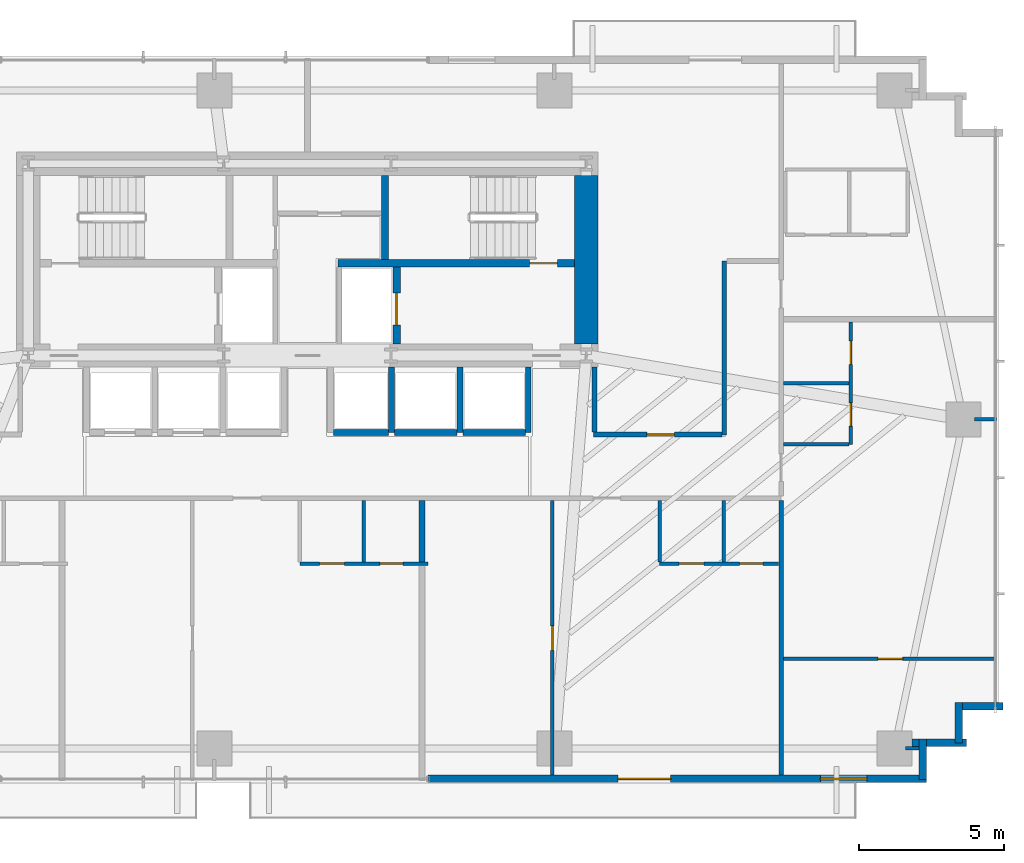
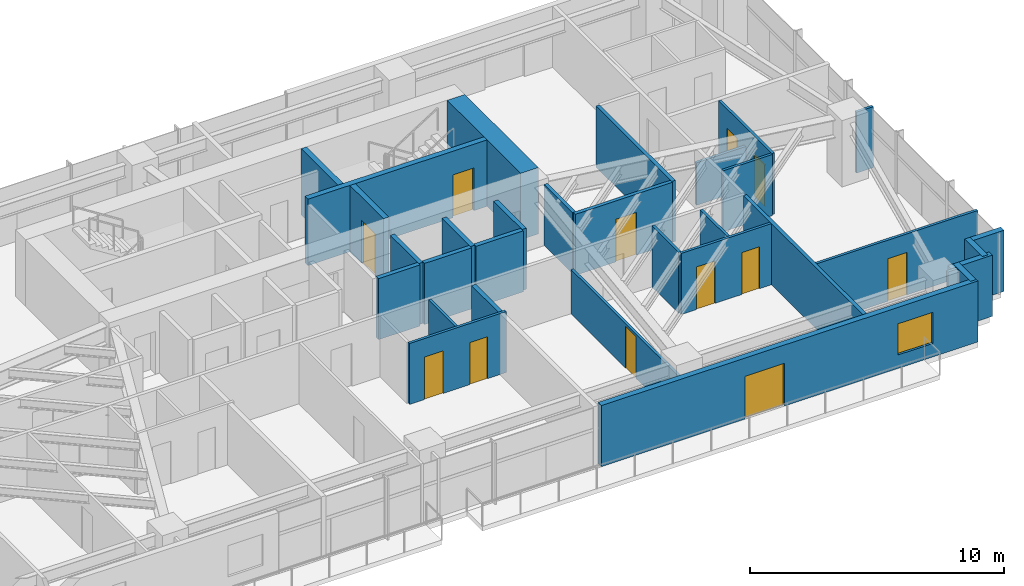
# One storey, part 21 of 25: 32 walls, 12 doors, 1 window, 13 openings.
"""IFC4 building model written with IfcOpenShell, lengths in metres."""

from ifc_helpers import new_model, si_unit, direction, frame, frame_2d, origin, place, context, subcontext, project, spatial, rectangle, extrude, source, transform, mapped, material, layer, layer_set, type_object, type_shapes, element, fill, save


model = new_model("IFC4")

# Units and contexts
model_context = context("Model", 3, precision=1e-05, world=origin(), true_north=direction((0.0, 1.0)))
body_context = subcontext(model_context, "Body", "Model", "MODEL_VIEW")
ifc_project = project(units=[si_unit("LENGTHUNIT", "METRE"), si_unit("AREAUNIT", "SQUARE_METRE"), si_unit("VOLUMEUNIT", "CUBIC_METRE"), si_unit("PLANEANGLEUNIT", "RADIAN"), si_unit("MASSUNIT", "GRAM", prefix="KILO")], contexts=[model_context])

# Site, building, storey
site_placement = place(None, origin())
site = spatial("IfcSite", under=ifc_project, at=site_placement, CompositionType="ELEMENT")
building_placement = place(site_placement, origin())
building = spatial("IfcBuilding", under=site, at=building_placement, Name="Astriad Promenade Condominiums", CompositionType="ELEMENT")
storey_placement = place(building_placement, frame((0.0, 0.0, 61.39990234375)))
storey = spatial("IfcBuildingStorey", under=building, at=storey_placement, Name="L17", CompositionType="ELEMENT", Elevation=61.39990234375)

# Wall
ifc_material_1 = material(Name="Concrete C80/95", Category="concrete")
ifc_layer_1 = layer(ifc_material_1, 0.800048828125)
ifc_layer_set_1 = layer_set([ifc_layer_1], Name="Concrete C80/95")
wall_type_1 = type_object("IfcWallType", Name="CW-SHEAR-800", PredefinedType="SHEAR", material=ifc_layer_set_1)
wall_1_placement = place(storey_placement, frame((45.60009765625, 17.802001953125, 0.0), z_axis=(0.0, 0.0, 1.0), x_axis=(0.0, 1.0, 0.0)))
element("IfcWall", 1, at=wall_1_placement, inside=storey, type_object=wall_type_1, Name="CW-CORE-E-L17", PredefinedType="SHEAR", context=body_context, shape_type="SweptSolid", body=[
    extrude(rectangle(XDim=5.7958984375, YDim=0.800048828125, at=frame_2d((2.89794921875, 0.0))), origin(), (0.0, 0.0, 1.0), 3.2001953125),
])

# Wall, opening, door
ifc_material_2 = material(Name="Concrete C50/60", Category="concrete")
ifc_layer_2 = layer(ifc_material_2, 0.25)
ifc_layer_set_2 = layer_set([ifc_layer_2], Name="Concrete C50/60")
wall_type_2 = type_object("IfcWallType", Name="WALL-CORE-INT-250", PredefinedType="SOLIDWALL", material=ifc_layer_set_2)
wall_2_placement = place(storey_placement, frame((37.050048828125, 20.574951171875, 0.0), z_axis=(0.0, 0.0, 1.0), x_axis=(1.0, 0.0, 0.0)))
wall_2 = element("IfcWall", 2, at=wall_2_placement, inside=storey, type_object=wall_type_2, Name="CW-INT-H2-L17", PredefinedType="SOLIDWALL", context=body_context, shape_type="SweptSolid", body=[
    extrude(rectangle(XDim=8.14794921875, YDim=0.25, at=frame_2d((4.073974609375, 0.0))), origin(), (0.0, 0.0, 1.0), 3.2001953125),
])
opening_1_placement = place(wall_2_placement, frame((6.60009765625, 0.0, 0.0)))
opening_1 = element("IfcOpeningElement", 3, at=opening_1_placement, cuts=wall_2, Name="Opening FD90-ST-095", PredefinedType="OPENING", context=body_context, shape_type="SweptSolid", body=[
    extrude(rectangle(XDim=0.949951171875, YDim=2.06005859375, at=frame_2d((0.47509765625, 1.030029296875))), frame((0.0, 0.135009765625, 0.0), z_axis=(0.0, -1.0, 0.0), x_axis=(1.0, 0.0, 0.0)), (0.0, 0.0, 1.0), 0.27001953125),
])
ifc_material_3 = material(Name="Fire-Rated Hollow Metal Stair Door")
door_type_1 = type_object("IfcDoorType", Name="FD90-ST-095", OperationType="NOTDEFINED", PredefinedType="DOOR", material=ifc_material_3)
shared_shape_1 = source(origin(), body_context, "Body", "SweptSolid", [
    extrude(rectangle(XDim=0.949951171875, YDim=2.06005859375, at=frame_2d((0.47509765625, 1.030029296875))), frame((0.0, 0.02490234375, 0.0), z_axis=(0.0, -1.0, 0.0), x_axis=(1.0, 0.0, 0.0)), (0.0, 0.0, 1.0), 0.050048828125),
])
type_shapes(door_type_1, [shared_shape_1])
door_1_placement = place(opening_1_placement, origin())
door_1 = element("IfcDoor", 4, at=door_1_placement, inside=storey, type_object=door_type_1, Name="D-ST2-L17", OperationType="SINGLE_SWING_LEFT", OverallHeight=2.06005859375, OverallWidth=0.949951171875, PredefinedType="DOOR", context=body_context, shape_type="MappedRepresentation", body=[
    mapped(shared_shape_1, transform((0.0, 0.0, 0.0), scale=1.0)),
])
fill(opening_1, door_1)

# Wall
wall_3_placement = place(storey_placement, frame((38.675048828125, 20.701904296875, 0.0), z_axis=(0.0, 0.0, 1.0), x_axis=(0.0, 1.0, 0.0)))
element("IfcWall", 5, at=wall_3_placement, inside=storey, type_object=wall_type_2, Name="CW-ST2-W-L17", PredefinedType="SOLIDWALL", context=body_context, shape_type="SweptSolid", body=[
    extrude(rectangle(XDim=2.89599609375, YDim=0.25, at=frame_2d((1.447998046875, 0.0))), origin(), (0.0, 0.0, 1.0), 3.2001953125),
])

# Wall, opening, door
wall_4_placement = place(storey_placement, frame((39.074951171875, 17.802001953125, 0.0), z_axis=(0.0, 0.0, 1.0), x_axis=(0.0, 1.0, 0.0)))
wall_4 = element("IfcWall", 6, at=wall_4_placement, inside=storey, type_object=wall_type_2, Name="CW-FFL2-E-L17", PredefinedType="SOLIDWALL", context=body_context, shape_type="SweptSolid", body=[
    extrude(rectangle(XDim=2.64599609375, YDim=0.25, at=frame_2d((1.322998046875, 0.0))), origin(), (0.0, 0.0, 1.0), 3.2001953125),
])
opening_2_placement = place(wall_4_placement, frame((0.64794921875, 0.0, 0.0)))
opening_2 = element("IfcOpeningElement", 7, at=opening_2_placement, cuts=wall_4, Name="Opening LD-FFL-1122", PredefinedType="OPENING", context=body_context, shape_type="SweptSolid", body=[
    extrude(rectangle(XDim=1.10009765625, YDim=2.080078125, at=frame_2d((0.550048828125, 1.0400390625))), frame((0.0, 0.135009765625, 0.0), z_axis=(0.0, -1.0, 0.0), x_axis=(1.0, 0.0, 0.0)), (0.0, 0.0, 1.0), 0.27001953125),
])
ifc_material_4 = material(Name="Brushed Stainless Steel Fire Elevator Landing Door", Category="steel")
door_type_2 = type_object("IfcDoorType", Name="LD-FFL-1122", OperationType="NOTDEFINED", PredefinedType="DOOR", material=ifc_material_4)
shared_shape_2 = source(origin(), body_context, "Body", "SweptSolid", [
    extrude(rectangle(XDim=1.10009765625, YDim=2.080078125, at=frame_2d((0.550048828125, 1.0400390625))), frame((0.0, 0.02490234375, 0.0), z_axis=(0.0, -1.0, 0.0), x_axis=(1.0, 0.0, 0.0)), (0.0, 0.0, 1.0), 0.050048828125),
])
type_shapes(door_type_2, [shared_shape_2])
door_2_placement = place(opening_2_placement, origin())
door_2 = element("IfcDoor", 8, at=door_2_placement, inside=storey, type_object=door_type_2, Name="Elevator Landing Door FFL-2 (L17)", OperationType="SLIDING_TO_RIGHT", OverallHeight=2.080078125, OverallWidth=1.10009765625, PredefinedType="DOOR", context=body_context, shape_type="MappedRepresentation", body=[
    mapped(shared_shape_2, transform((0.0, 0.0, 0.0), scale=1.0)),
])
fill(opening_2, door_2)

# Walls
ifc_material_5 = material(Name="Fire-Rated Gypsum Partition")
ifc_layer_3 = layer(ifc_material_5, 0.159912109375)
ifc_layer_set_3 = layer_set([ifc_layer_3], Name="Fire-Rated Gypsum Partition")
wall_type_3 = type_object("IfcWallType", Name="WALL-CORR-160", PredefinedType="PARTITIONING", material=ifc_layer_set_3)
wall_5_placement = place(storey_placement, frame((52.300048828125, 2.9619140625, 0.0), z_axis=(0.0, 0.0, 1.0), x_axis=(0.0, 1.0, 0.0)))
element("IfcWall", 9, at=wall_5_placement, inside=storey, type_object=wall_type_3, Name="PT-COR-E-L17", PredefinedType="PARTITIONING", context=body_context, shape_type="SweptSolid", body=[
    extrude(rectangle(XDim=9.446044921875, YDim=0.159912109375, at=frame_2d((4.72314453125, 0.0))), origin(), (0.0, 0.0, 1.0), 2.940185546875),
])
wall_6_placement = place(storey_placement, frame((50.35009765625, 14.659912109375, 0.0), z_axis=(0.0, 0.0, 1.0), x_axis=(0.0, 1.0, 0.0)))
element("IfcWall", 10, at=wall_6_placement, inside=storey, type_object=wall_type_3, Name="PT-EALC-W-L17", PredefinedType="PARTITIONING", context=body_context, shape_type="SweptSolid", body=[
    extrude(rectangle(XDim=5.989990234375, YDim=0.159912109375, at=frame_2d((2.9951171875, 0.0))), origin(), (0.0, 0.0, 1.0), 2.940185546875),
])

# Wall, opening, door
wall_7_placement = place(storey_placement, frame((45.840087890625, 14.679931640625, 0.0), z_axis=(0.0, 0.0, 1.0), x_axis=(1.0, 0.0, 0.0)))
wall_7 = element("IfcWall", 11, at=wall_7_placement, inside=storey, type_object=wall_type_3, Name="PT-FLK-NE-L17", PredefinedType="PARTITIONING", context=body_context, shape_type="SweptSolid", body=[
    extrude(rectangle(XDim=4.427978515625, YDim=0.159912109375, at=frame_2d((2.2138671875, 0.0))), origin(), (0.0, 0.0, 1.0), 2.940185546875),
])
opening_3_placement = place(wall_7_placement, frame((1.840087890625, 0.0, 0.0)))
opening_3 = element("IfcOpeningElement", 12, at=opening_3_placement, cuts=wall_7, Name="Opening FD60-APT-095", PredefinedType="OPENING", context=body_context, shape_type="SweptSolid", body=[
    extrude(rectangle(XDim=0.949951171875, YDim=2.06005859375, at=frame_2d((0.47509765625, 1.030029296875))), frame((0.0, 0.08984375, 0.0), z_axis=(0.0, -1.0, 0.0), x_axis=(1.0, 0.0, 0.0)), (0.0, 0.0, 1.0), 0.179931640625),
])
ifc_material_6 = material(Name="Solid-Core Acoustic Timber Residence Entry Door", Category="wood")
door_type_3 = type_object("IfcDoorType", Name="FD60-APT-095", OperationType="NOTDEFINED", PredefinedType="DOOR", material=ifc_material_6)
shared_shape_3 = source(origin(), body_context, "Body", "SweptSolid", [
    extrude(rectangle(XDim=0.949951171875, YDim=2.06005859375, at=frame_2d((0.47509765625, 1.030029296875))), frame((0.0, 0.02490234375, 0.0), z_axis=(0.0, -1.0, 0.0), x_axis=(1.0, 0.0, 0.0)), (0.0, 0.0, 1.0), 0.050048828125),
])
type_shapes(door_type_3, [shared_shape_3])
door_3_placement = place(opening_3_placement, origin())
door_3 = element("IfcDoor", 13, at=door_3_placement, inside=storey, type_object=door_type_3, Name="D-NEA-L17", OperationType="SINGLE_SWING_LEFT", OverallHeight=2.06005859375, OverallWidth=0.949951171875, PredefinedType="DOOR", context=body_context, shape_type="MappedRepresentation", body=[
    mapped(shared_shape_3, transform((0.0, 0.0, 0.0), scale=1.0)),
])
fill(opening_3, door_3)

# Walls
wall_8_placement = place(storey_placement, frame((45.8798828125, 14.761962890625, 0.0), z_axis=(0.0, 0.0, 1.0), x_axis=(0.0, 1.0, 0.0)))
element("IfcWall", 14, at=wall_8_placement, inside=storey, type_object=wall_type_3, Name="PT-ESPUR-E-L17", PredefinedType="PARTITIONING", context=body_context, shape_type="SweptSolid", body=[
    extrude(rectangle(XDim=2.236083984375, YDim=0.159912109375, at=frame_2d((1.1181640625, 0.0))), origin(), (0.0, 0.0, 1.0), 2.940185546875),
])
ifc_material_7 = material(Name="Acoustic Double-Stud Gypsum Partition")
ifc_layer_4 = layer(ifc_material_7, 0.199951171875)
ifc_layer_set_4 = layer_set([ifc_layer_4], Name="Acoustic Double-Stud Gypsum Partition")
wall_type_4 = type_object("IfcWallType", Name="WALL-DEMISING-200", PredefinedType="PARTITIONING", material=ifc_layer_set_4)
wall_9_placement = place(storey_placement, frame((39.946044921875, 10.302001953125, 0.0), z_axis=(0.0, 0.0, 1.0), x_axis=(0.0, 1.0, 0.0)))
element("IfcWall", 15, at=wall_9_placement, inside=storey, type_object=wall_type_4, Name="PT-DEM-S2-L17-S2", PredefinedType="PARTITIONING", context=body_context, shape_type="SweptSolid", body=[
    extrude(rectangle(XDim=2.10595703125, YDim=0.199951171875, at=frame_2d((1.052978515625, 0.0))), origin(), (0.0, 0.0, 1.0), 2.940185546875),
])
ifc_material_8 = material(Name="Precast concrete C50/60", Category="concrete")
ifc_layer_5 = layer(ifc_material_8, 0.260009765625)
ifc_layer_set_5 = layer_set([ifc_layer_5], Name="Precast concrete C50/60")
wall_type_5 = type_object("IfcWallType", Name="WALL-EXT-TWR-260", PredefinedType="STANDARD", material=ifc_layer_set_5)
for number, where, z_axis, x_axis, name in (
    (16, (59.929931640625, 5.330078125, 0.0), (0.0, 0.0, 1.0), (-1.0, 0.0, 0.0), "W-SER-L17-14"),
    (17, (58.419921875, 5.4599609375, 0.0), (0.0, 0.0, 1.0), (0.0, -1.0, 0.0), "W-SER-L17-15"),
):
    element("IfcWall", number, at=place(storey_placement, frame(where, z_axis=z_axis, x_axis=x_axis)), inside=storey, type_object=wall_type_5, Name=name, PredefinedType="STANDARD", context=body_context, shape_type="SweptSolid", body=[
        extrude(rectangle(XDim=1.39501953125, YDim=0.260009765625, at=frame_2d((0.697509765625, 0.0))), origin(), (0.0, 0.0, 1.0), 2.940185546875),
    ])
wall_10_placement = place(storey_placement, frame((58.679931640625, 4.080078125, 0.0), z_axis=(0.0, 0.0, 1.0), x_axis=(-1.0, 0.0, 0.0)))
element("IfcWall", 18, at=wall_10_placement, inside=storey, type_object=wall_type_5, Name="W-SER-L17-16", PredefinedType="STANDARD", context=body_context, shape_type="SweptSolid", body=[
    extrude(rectangle(XDim=1.8779296875, YDim=0.260009765625, at=frame_2d((0.93896484375, 0.0))), origin(), (0.0, 0.0, 1.0), 2.940185546875),
])
wall_11_placement = place(storey_placement, frame((57.169921875, 4.2099609375, 0.0), z_axis=(0.0, 0.0, 1.0), x_axis=(0.0, -1.0, 0.0)))
element("IfcWall", 19, at=wall_11_placement, inside=storey, type_object=wall_type_5, Name="W-SER-L17-17", PredefinedType="STANDARD", context=body_context, shape_type="SweptSolid", body=[
    extrude(rectangle(XDim=1.39501953125, YDim=0.260009765625, at=frame_2d((0.697509765625, 0.0))), origin(), (0.0, 0.0, 1.0), 2.940185546875),
])

# Wall, openings, door, window
wall_12_placement = place(storey_placement, frame((57.300048828125, 2.830078125, 0.0), z_axis=(0.0, 0.0, 1.0), x_axis=(-1.0, 0.0, 0.0)))
wall_12 = element("IfcWall", 20, at=wall_12_placement, inside=storey, type_object=wall_type_5, Name="W-EXT-L17-S1", PredefinedType="STANDARD", context=body_context, shape_type="SweptSolid", body=[
    extrude(rectangle(XDim=17.150146484375, YDim=0.260009765625, at=frame_2d((8.5751953125, 0.0))), origin(), (0.0, 0.0, 1.0), 2.940185546875),
])
opening_4_placement = place(wall_12_placement, frame((8.803955078125, 0.0, 0.0)))
opening_4 = element("IfcOpeningElement", 21, at=opening_4_placement, cuts=wall_12, Name="Opening BD-1822-SLD", PredefinedType="OPENING", context=body_context, shape_type="SweptSolid", body=[
    extrude(rectangle(XDim=1.800048828125, YDim=2.06005859375, at=frame_2d((0.89990234375, 1.030029296875))), frame((0.0, 0.139892578125, 0.0), z_axis=(0.0, -1.0, 0.0), x_axis=(1.0, 0.0, 0.0)), (0.0, 0.0, 1.0), 0.280029296875),
])
opening_5_placement = place(wall_12_placement, frame((2.050048828125, 0.0, 0.64990234375)))
opening_5 = element("IfcOpeningElement", 22, at=opening_5_placement, cuts=wall_12, Name="Opening WIN-TWR-1620", PredefinedType="OPENING", context=body_context, shape_type="SweptSolid", body=[
    extrude(rectangle(XDim=1.60009765625, YDim=1.5, at=frame_2d((0.800048828125, 0.75))), frame((0.0, 0.139892578125, 0.0), z_axis=(0.0, -1.0, 0.0), x_axis=(1.0, 0.0, 0.0)), (0.0, 0.0, 1.0), 0.280029296875),
])
ifc_material_9 = material(Name="Thermally Broken Aluminium Sliding Balcony Door", Category="aluminium")
door_type_4 = type_object("IfcDoorType", Name="BD-1822-SLD", OperationType="NOTDEFINED", PredefinedType="DOOR", material=ifc_material_9)
shared_shape_4 = source(origin(), body_context, "Body", "SweptSolid", [
    extrude(rectangle(XDim=1.800048828125, YDim=2.06005859375, at=frame_2d((0.89990234375, 1.030029296875))), frame((0.0, 0.02490234375, 0.0), z_axis=(0.0, -1.0, 0.0), x_axis=(1.0, 0.0, 0.0)), (0.0, 0.0, 1.0), 0.050048828125),
])
type_shapes(door_type_4, [shared_shape_4])
door_4_placement = place(opening_4_placement, origin())
door_4 = element("IfcDoor", 23, at=door_4_placement, inside=storey, type_object=door_type_4, Name="BD-L17-SE", OperationType="SLIDING_TO_RIGHT", OverallHeight=2.06005859375, OverallWidth=1.800048828125, PredefinedType="DOOR", context=body_context, shape_type="MappedRepresentation", body=[
    mapped(shared_shape_4, transform((0.0, 0.0, 0.0), scale=1.0)),
])
fill(opening_4, door_4)
ifc_material_10 = material(Name="Dark Tinted Triple-Glazed Aluminium Window", Category="aluminium")
window_type = type_object("IfcWindowType", Name="WIN-TWR-1620", PartitioningType="SINGLE_PANEL", PredefinedType="WINDOW", material=ifc_material_10)
shared_shape_5 = source(origin(), body_context, "Body", "SweptSolid", [
    extrude(rectangle(XDim=1.60009765625, YDim=1.5, at=frame_2d((0.800048828125, 0.75))), frame((0.0, 0.030029296875, 0.0), z_axis=(0.0, -1.0, 0.0), x_axis=(1.0, 0.0, 0.0)), (0.0, 0.0, 1.0), 0.06005859375),
])
type_shapes(window_type, [shared_shape_5])
window_placement = place(opening_5_placement, origin())
window = element("IfcWindow", 24, at=window_placement, inside=storey, type_object=window_type, Name="WIN-L17-SE", OverallHeight=1.5, OverallWidth=1.60009765625, PartitioningType="SINGLE_PANEL", PredefinedType="WINDOW", context=body_context, shape_type="MappedRepresentation", body=[
    mapped(shared_shape_5, transform((0.0, 0.0, 0.0), scale=1.0)),
])
fill(opening_5, window)

# Wall, openings, doors
ifc_material_11 = material(Name="Acoustic Metal-Stud Gypsum Partition")
ifc_layer_6 = layer(ifc_material_11, 0.1201171875)
ifc_layer_set_6 = layer_set([ifc_layer_6], Name="Acoustic Metal-Stud Gypsum Partition")
wall_type_6 = type_object("IfcWallType", Name="WALL-PART-120", PredefinedType="PARTITIONING", material=ifc_layer_set_6)
wall_13_placement = place(storey_placement, frame((35.74609375, 10.239990234375, 0.0), z_axis=(0.0, 0.0, 1.0), x_axis=(1.0, 0.0, 0.0)))
wall_13 = element("IfcWall", 25, at=wall_13_placement, inside=storey, type_object=wall_type_6, Name="PT-L17-S2-PS", PredefinedType="PARTITIONING", context=body_context, shape_type="SweptSolid", body=[
    extrude(rectangle(XDim=4.39990234375, YDim=0.1201171875, at=frame_2d((2.199951171875, 0.0))), origin(), (0.0, 0.0, 1.0), 2.940185546875),
])
opening_6_placement = place(wall_13_placement, frame((0.675048828125, 0.0, 0.0)))
opening_6 = element("IfcOpeningElement", 26, at=opening_6_placement, cuts=wall_13, Name="Opening D-INT-085", PredefinedType="OPENING", context=body_context, shape_type="SweptSolid", body=[
    extrude(rectangle(XDim=0.85009765625, YDim=2.050048828125, at=frame_2d((0.425048828125, 1.02490234375))), frame((0.0, 0.070068359375, 0.0), z_axis=(0.0, -1.0, 0.0), x_axis=(1.0, 0.0, 0.0)), (0.0, 0.0, 1.0), 0.14013671875),
])
opening_7_placement = place(wall_13_placement, frame((2.75, 0.0, 0.0)))
opening_7 = element("IfcOpeningElement", 27, at=opening_7_placement, cuts=wall_13, Name="Opening D-WET-080", PredefinedType="OPENING", context=body_context, shape_type="SweptSolid", body=[
    extrude(rectangle(XDim=0.800048828125, YDim=2.02001953125, at=frame_2d((0.39990234375, 1.010009765625))), frame((0.0, 0.070068359375, 0.0), z_axis=(0.0, -1.0, 0.0), x_axis=(1.0, 0.0, 0.0)), (0.0, 0.0, 1.0), 0.14013671875),
])
ifc_material_12 = material(Name="Moisture-Resistant Timber Bathroom Door", Category="wood")
door_type_5 = type_object("IfcDoorType", Name="D-WET-080", OperationType="NOTDEFINED", PredefinedType="DOOR", material=ifc_material_12)
shared_shape_6 = source(origin(), body_context, "Body", "SweptSolid", [
    extrude(rectangle(XDim=0.800048828125, YDim=2.02001953125, at=frame_2d((0.39990234375, 1.010009765625))), frame((0.0, 0.02490234375, 0.0), z_axis=(0.0, -1.0, 0.0), x_axis=(1.0, 0.0, 0.0)), (0.0, 0.0, 1.0), 0.050048828125),
])
type_shapes(door_type_5, [shared_shape_6])
door_5_placement = place(opening_7_placement, origin())
door_5 = element("IfcDoor", 28, at=door_5_placement, inside=storey, type_object=door_type_5, Name="D-BTH-L17-S2", OperationType="SINGLE_SWING_LEFT", OverallHeight=2.02001953125, OverallWidth=0.800048828125, PredefinedType="DOOR", context=body_context, shape_type="MappedRepresentation", body=[
    mapped(shared_shape_6, transform((0.0, 0.0, 0.0), scale=1.0)),
])
fill(opening_7, door_5)
ifc_material_13 = material(Name="Painted Solid-Core Timber Room Door", Category="wood")
door_type_6 = type_object("IfcDoorType", Name="D-INT-085", OperationType="NOTDEFINED", PredefinedType="DOOR", material=ifc_material_13)
shared_shape_7 = source(origin(), body_context, "Body", "SweptSolid", [
    extrude(rectangle(XDim=0.85009765625, YDim=2.050048828125, at=frame_2d((0.425048828125, 1.02490234375))), frame((0.0, 0.02490234375, 0.0), z_axis=(0.0, -1.0, 0.0), x_axis=(1.0, 0.0, 0.0)), (0.0, 0.0, 1.0), 0.050048828125),
])
type_shapes(door_type_6, [shared_shape_7])
door_6_placement = place(opening_6_placement, origin())
door_6 = element("IfcDoor", 29, at=door_6_placement, inside=storey, type_object=door_type_6, Name="D-KIT-L17-S2", OperationType="SINGLE_SWING_RIGHT", OverallHeight=2.050048828125, OverallWidth=0.85009765625, PredefinedType="DOOR", context=body_context, shape_type="MappedRepresentation", body=[
    mapped(shared_shape_7, transform((0.0, 0.0, 0.0), scale=1.0)),
])
fill(opening_6, door_6)

# Wall
wall_14_placement = place(storey_placement, frame((37.946044921875, 10.302001953125, 0.0), z_axis=(0.0, 0.0, 1.0), x_axis=(0.0, 1.0, 0.0)))
element("IfcWall", 30, at=wall_14_placement, inside=storey, type_object=wall_type_6, Name="PT-L17-S2-PB", PredefinedType="PARTITIONING", context=body_context, shape_type="SweptSolid", body=[
    extrude(rectangle(XDim=2.10595703125, YDim=0.1201171875, at=frame_2d((1.052978515625, 0.0))), origin(), (0.0, 0.0, 1.0), 2.940185546875),
])

# Wall, openings, doors
wall_15_placement = place(storey_placement, frame((48.1201171875, 10.239990234375, 0.0), z_axis=(0.0, 0.0, 1.0), x_axis=(1.0, 0.0, 0.0)))
wall_15 = element("IfcWall", 31, at=wall_15_placement, inside=storey, type_object=wall_type_6, Name="PT-L17-S3-PS", PredefinedType="PARTITIONING", context=body_context, shape_type="SweptSolid", body=[
    extrude(rectangle(XDim=4.097900390625, YDim=0.1201171875, at=frame_2d((2.048828125, 0.0))), origin(), (0.0, 0.0, 1.0), 2.940185546875),
])
opening_8_placement = place(wall_15_placement, frame((0.675048828125, 0.0, 0.0)))
opening_8 = element("IfcOpeningElement", 32, at=opening_8_placement, cuts=wall_15, Name="Opening D-INT-085", PredefinedType="OPENING", context=body_context, shape_type="SweptSolid", body=[
    extrude(rectangle(XDim=0.85009765625, YDim=2.050048828125, at=frame_2d((0.425048828125, 1.02490234375))), frame((0.0, 0.070068359375, 0.0), z_axis=(0.0, -1.0, 0.0), x_axis=(1.0, 0.0, 0.0)), (0.0, 0.0, 1.0), 0.14013671875),
])
opening_9_placement = place(wall_15_placement, frame((2.75, 0.0, 0.0)))
opening_9 = element("IfcOpeningElement", 33, at=opening_9_placement, cuts=wall_15, Name="Opening D-WET-080", PredefinedType="OPENING", context=body_context, shape_type="SweptSolid", body=[
    extrude(rectangle(XDim=0.800048828125, YDim=2.02001953125, at=frame_2d((0.39990234375, 1.010009765625))), frame((0.0, 0.070068359375, 0.0), z_axis=(0.0, -1.0, 0.0), x_axis=(1.0, 0.0, 0.0)), (0.0, 0.0, 1.0), 0.14013671875),
])
door_7_placement = place(opening_9_placement, origin())
door_7 = element("IfcDoor", 34, at=door_7_placement, inside=storey, type_object=door_type_5, Name="D-BTH-L17-S3", OperationType="SINGLE_SWING_LEFT", OverallHeight=2.02001953125, OverallWidth=0.800048828125, PredefinedType="DOOR", context=body_context, shape_type="MappedRepresentation", body=[
    mapped(shared_shape_6, transform((0.0, 0.0, 0.0), scale=1.0)),
])
fill(opening_9, door_7)
door_8_placement = place(opening_8_placement, origin())
door_8 = element("IfcDoor", 35, at=door_8_placement, inside=storey, type_object=door_type_6, Name="D-KIT-L17-S3", OperationType="SINGLE_SWING_RIGHT", OverallHeight=2.050048828125, OverallWidth=0.85009765625, PredefinedType="DOOR", context=body_context, shape_type="MappedRepresentation", body=[
    mapped(shared_shape_7, transform((0.0, 0.0, 0.0), scale=1.0)),
])
fill(opening_8, door_8)

# Walls
for number, where, z_axis, x_axis, name in (
    (36, (48.1201171875, 10.302001953125, 0.0), (0.0, 0.0, 1.0), (0.0, 1.0, 0.0), "PT-L17-S3-PK"),
    (37, (50.320068359375, 10.302001953125, 0.0), (0.0, 0.0, 1.0), (0.0, 1.0, 0.0), "PT-L17-S3-PB"),
):
    element("IfcWall", number, at=place(storey_placement, frame(where, z_axis=z_axis, x_axis=x_axis)), inside=storey, type_object=wall_type_6, Name=name, PredefinedType="PARTITIONING", context=body_context, shape_type="SweptSolid", body=[
        extrude(rectangle(XDim=2.10595703125, YDim=0.1201171875, at=frame_2d((1.052978515625, 0.0))), origin(), (0.0, 0.0, 1.0), 2.940185546875),
    ])

# Wall, opening, door
wall_16_placement = place(storey_placement, frame((44.428955078125, 2.9619140625, 0.0), z_axis=(0.0, 0.0, 1.0), x_axis=(0.0, 1.0, 0.0)))
wall_16 = element("IfcWall", 38, at=wall_16_placement, inside=storey, type_object=wall_type_6, Name="PT-L17-S3-CAP1", PredefinedType="PARTITIONING", context=body_context, shape_type="SweptSolid", body=[
    extrude(rectangle(XDim=9.446044921875, YDim=0.1201171875, at=frame_2d((4.72314453125, 0.0))), origin(), (0.0, 0.0, 1.0), 2.13623046875),
])
opening_10_placement = place(wall_16_placement, frame((4.2880859375, 0.0, 0.0)))
opening_10 = element("IfcOpeningElement", 39, at=opening_10_placement, cuts=wall_16, Name="Opening D-LOW-085", PredefinedType="OPENING", context=body_context, shape_type="SweptSolid", body=[
    extrude(rectangle(XDim=0.85009765625, YDim=2.010009765625, at=frame_2d((0.425048828125, 1.0048828125))), frame((0.0, 0.070068359375, 0.0), z_axis=(0.0, -1.0, 0.0), x_axis=(1.0, 0.0, 0.0)), (0.0, 0.0, 1.0), 0.14013671875),
])
ifc_material_14 = material(Name="Painted Timber Under-Girder Room Door", Category="wood")
door_type_7 = type_object("IfcDoorType", Name="D-LOW-085", OperationType="NOTDEFINED", PredefinedType="DOOR", material=ifc_material_14)
shared_shape_8 = source(origin(), body_context, "Body", "SweptSolid", [
    extrude(rectangle(XDim=0.85009765625, YDim=2.010009765625, at=frame_2d((0.425048828125, 1.0048828125))), frame((0.0, 0.02490234375, 0.0), z_axis=(0.0, -1.0, 0.0), x_axis=(1.0, 0.0, 0.0)), (0.0, 0.0, 1.0), 0.050048828125),
])
type_shapes(door_type_7, [shared_shape_8])
door_9_placement = place(opening_10_placement, origin())
door_9 = element("IfcDoor", 40, at=door_9_placement, inside=storey, type_object=door_type_7, Name="D-CAP1-L17-S3", OperationType="SINGLE_SWING_RIGHT", OverallHeight=2.010009765625, OverallWidth=0.85009765625, PredefinedType="DOOR", context=body_context, shape_type="MappedRepresentation", body=[
    mapped(shared_shape_8, transform((0.0, 0.0, 0.0), scale=1.0)),
])
fill(opening_10, door_9)

# Wall, openings, doors
wall_17_placement = place(storey_placement, frame((54.699951171875, 14.340087890625, 0.0), z_axis=(0.0, 0.0, 1.0), x_axis=(0.0, 1.0, 0.0)))
wall_17 = element("IfcWall", 41, at=wall_17_placement, inside=storey, type_object=wall_type_6, Name="PT-L17-E1-PV", PredefinedType="PARTITIONING", context=body_context, shape_type="SweptSolid", body=[
    extrude(rectangle(XDim=4.2080078125, YDim=0.1201171875, at=frame_2d((2.10400390625, 0.0))), origin(), (0.0, 0.0, 1.0), 2.940185546875),
])
opening_11_placement = place(wall_17_placement, frame((0.6279296875, 0.0, 0.0)))
opening_11 = element("IfcOpeningElement", 42, at=opening_11_placement, cuts=wall_17, Name="Opening D-ULOW-080", PredefinedType="OPENING", context=body_context, shape_type="SweptSolid", body=[
    extrude(rectangle(XDim=0.800048828125, YDim=2.0, at=frame_2d((0.39990234375, 1.0))), frame((0.0, 0.070068359375, 0.0), z_axis=(0.0, -1.0, 0.0), x_axis=(1.0, 0.0, 0.0)), (0.0, 0.0, 1.0), 0.14013671875),
])
opening_12_placement = place(wall_17_placement, frame((2.758056640625, 0.0, 0.0)))
opening_12 = element("IfcOpeningElement", 43, at=opening_12_placement, cuts=wall_17, Name="Opening D-WET-080", PredefinedType="OPENING", context=body_context, shape_type="SweptSolid", body=[
    extrude(rectangle(XDim=0.800048828125, YDim=2.02001953125, at=frame_2d((0.39990234375, 1.010009765625))), frame((0.0, 0.070068359375, 0.0), z_axis=(0.0, -1.0, 0.0), x_axis=(1.0, 0.0, 0.0)), (0.0, 0.0, 1.0), 0.14013671875),
])
door_10_placement = place(opening_12_placement, origin())
door_10 = element("IfcDoor", 44, at=door_10_placement, inside=storey, type_object=door_type_5, Name="D-BTH-L17-E1", OperationType="SINGLE_SWING_LEFT", OverallHeight=2.02001953125, OverallWidth=0.800048828125, PredefinedType="DOOR", context=body_context, shape_type="MappedRepresentation", body=[
    mapped(shared_shape_6, transform((0.0, 0.0, 0.0), scale=1.0)),
])
fill(opening_12, door_10)
ifc_material_15 = material(Name="Painted Timber Low-Headroom Door", Category="wood")
door_type_8 = type_object("IfcDoorType", Name="D-ULOW-080", OperationType="NOTDEFINED", PredefinedType="DOOR", material=ifc_material_15)
shared_shape_9 = source(origin(), body_context, "Body", "SweptSolid", [
    extrude(rectangle(XDim=0.800048828125, YDim=2.0, at=frame_2d((0.39990234375, 1.0))), frame((0.0, 0.02490234375, 0.0), z_axis=(0.0, -1.0, 0.0), x_axis=(1.0, 0.0, 0.0)), (0.0, 0.0, 1.0), 0.050048828125),
])
type_shapes(door_type_8, [shared_shape_9])
door_11_placement = place(opening_11_placement, origin())
door_11 = element("IfcDoor", 45, at=door_11_placement, inside=storey, type_object=door_type_8, Name="D-KIT-L17-E1", OperationType="SINGLE_SWING_RIGHT", OverallHeight=2.0, OverallWidth=0.800048828125, PredefinedType="DOOR", context=body_context, shape_type="MappedRepresentation", body=[
    mapped(shared_shape_9, transform((0.0, 0.0, 0.0), scale=1.0)),
])
fill(opening_11, door_11)

# Walls
wall_18_placement = place(storey_placement, frame((52.382080078125, 16.445068359375, 0.0), z_axis=(0.0, 0.0, 1.0), x_axis=(1.0, 0.0, 0.0)))
element("IfcWall", 46, at=wall_18_placement, inside=storey, type_object=wall_type_6, Name="PT-L17-E1-PM", PredefinedType="PARTITIONING", context=body_context, shape_type="SweptSolid", body=[
    extrude(rectangle(XDim=2.255859375, YDim=0.1201171875, at=frame_2d((1.1279296875, 0.0))), origin(), (0.0, 0.0, 1.0), 2.044921875),
])
wall_19_placement = place(storey_placement, frame((52.382080078125, 14.340087890625, 0.0), z_axis=(0.0, 0.0, 1.0), x_axis=(1.0, 0.0, 0.0)))
element("IfcWall", 47, at=wall_19_placement, inside=storey, type_object=wall_type_6, Name="PT-L17-E1-PS", PredefinedType="PARTITIONING", context=body_context, shape_type="SweptSolid", body=[
    extrude(rectangle(XDim=2.255859375, YDim=0.1201171875, at=frame_2d((1.1279296875, 0.0))), origin(), (0.0, 0.0, 1.0), 2.940185546875),
])

# Wall, opening, door
wall_20_placement = place(storey_placement, frame((52.382080078125, 6.9599609375, 0.0), z_axis=(0.0, 0.0, 1.0), x_axis=(1.0, 0.0, 0.0)))
wall_20 = element("IfcWall", 48, at=wall_20_placement, inside=storey, type_object=wall_type_6, Name="PT-L17-E1-WDS1", PredefinedType="PARTITIONING", context=body_context, shape_type="SweptSolid", body=[
    extrude(rectangle(XDim=7.337890625, YDim=0.1201171875, at=frame_2d((3.6689453125, 0.0))), origin(), (0.0, 0.0, 1.0), 2.940185546875),
])
opening_13_placement = place(wall_20_placement, frame((3.2529296875, 0.0, 0.0)))
opening_13 = element("IfcOpeningElement", 49, at=opening_13_placement, cuts=wall_20, Name="Opening D-INT-085", PredefinedType="OPENING", context=body_context, shape_type="SweptSolid", body=[
    extrude(rectangle(XDim=0.85009765625, YDim=2.050048828125, at=frame_2d((0.425048828125, 1.02490234375))), frame((0.0, 0.070068359375, 0.0), z_axis=(0.0, -1.0, 0.0), x_axis=(1.0, 0.0, 0.0)), (0.0, 0.0, 1.0), 0.14013671875),
])
door_12_placement = place(opening_13_placement, origin())
door_12 = element("IfcDoor", 50, at=door_12_placement, inside=storey, type_object=door_type_6, Name="D-WDS1-L17-E1", OperationType="SINGLE_SWING_RIGHT", OverallHeight=2.050048828125, OverallWidth=0.85009765625, PredefinedType="DOOR", context=body_context, shape_type="MappedRepresentation", body=[
    mapped(shared_shape_7, transform((0.0, 0.0, 0.0), scale=1.0)),
])
fill(opening_13, door_12)

# Walls
wall_21_placement = place(storey_placement, frame((56.580078125, 3.8798828125, 0.0), z_axis=(0.0, 0.0, 1.0), x_axis=(1.0, 0.0, 0.0)))
element("IfcWall", 51, at=wall_21_placement, inside=storey, type_object=wall_type_6, Name="PT-PIL-L17-PC05-12", PredefinedType="PARTITIONING", context=body_context, shape_type="SweptSolid", body=[
    extrude(rectangle(XDim=0.4580078125, YDim=0.1201171875, at=frame_2d((0.22900390625, 0.0))), origin(), (0.0, 0.0, 1.0), 2.940185546875),
])
wall_22_placement = place(storey_placement, frame((58.9599609375, 15.199951171875, 0.0), z_axis=(0.0, 0.0, 1.0), x_axis=(1.0, 0.0, 0.0)))
element("IfcWall", 52, at=wall_22_placement, inside=storey, type_object=wall_type_6, Name="PT-PIL-L17-PC12-19", PredefinedType="PARTITIONING", context=body_context, shape_type="SweptSolid", body=[
    extrude(rectangle(XDim=0.760009765625, YDim=0.1201171875, at=frame_2d((0.3798828125, 0.0))), origin(), (0.0, 0.0, 1.0), 2.940185546875),
])
ifc_material_16 = material(Name="Gypsum Shaftliner Assembly")
ifc_layer_7 = layer(ifc_material_16, 0.199951171875)
ifc_layer_set_7 = layer_set([ifc_layer_7], Name="Gypsum Shaftliner Assembly")
wall_type_7 = type_object("IfcWallType", Name="WALL-SHAFT-200", PredefinedType="PARTITIONING", material=ifc_layer_set_7)
wall_23_placement = place(storey_placement, frame((38.89990234375, 14.75, 0.0), z_axis=(0.0, 0.0, 1.0), x_axis=(0.0, 1.0, 0.0)))
element("IfcWall", 53, at=wall_23_placement, inside=storey, type_object=wall_type_7, Name="PL-MH-DIV-L17", PredefinedType="PARTITIONING", context=body_context, shape_type="SweptSolid", body=[
    extrude(rectangle(XDim=2.248046875, YDim=0.199951171875, at=frame_2d((1.1240234375, 0.0))), origin(), (0.0, 0.0, 1.0), 2.940185546875),
])
wall_24_placement = place(storey_placement, frame((36.902099609375, 14.75, 0.0), z_axis=(0.0, 0.0, 1.0), x_axis=(1.0, 0.0, 0.0)))
element("IfcWall", 54, at=wall_24_placement, inside=storey, type_object=wall_type_7, Name="PL-M2-F-L17", PredefinedType="PARTITIONING", context=body_context, shape_type="SweptSolid", body=[
    extrude(rectangle(XDim=1.89599609375, YDim=0.199951171875, at=frame_2d((0.947998046875, 0.0))), origin(), (0.0, 0.0, 1.0), 2.940185546875),
])
for number, where, z_axis, x_axis, name in (
    (55, (41.25, 14.75, 0.0), (0.0, 0.0, 1.0), (0.0, 1.0, 0.0), "PL-H-DIV-L17"),
    (56, (43.60009765625, 14.75, 0.0), (0.0, 0.0, 1.0), (0.0, 1.0, 0.0), "PL-E-OUT-L17"),
):
    element("IfcWall", number, at=place(storey_placement, frame(where, z_axis=z_axis, x_axis=x_axis)), inside=storey, type_object=wall_type_7, Name=name, PredefinedType="PARTITIONING", context=body_context, shape_type="SweptSolid", body=[
        extrude(rectangle(XDim=2.248046875, YDim=0.199951171875, at=frame_2d((1.1240234375, 0.0))), origin(), (0.0, 0.0, 1.0), 2.940185546875),
    ])
for number, where, z_axis, x_axis, name in (
    (57, (39.001953125, 14.75, 0.0), (0.0, 0.0, 1.0), (1.0, 0.0, 0.0), "PL-H-FRT-L17"),
    (58, (41.35205078125, 14.75, 0.0), (0.0, 0.0, 1.0), (1.0, 0.0, 0.0), "PL-H-FRT-L17-S2"),
):
    element("IfcWall", number, at=place(storey_placement, frame(where, z_axis=z_axis, x_axis=x_axis)), inside=storey, type_object=wall_type_7, Name=name, PredefinedType="PARTITIONING", context=body_context, shape_type="SweptSolid", body=[
        extrude(rectangle(XDim=2.14599609375, YDim=0.199951171875, at=frame_2d((1.072998046875, 0.0))), origin(), (0.0, 0.0, 1.0), 2.940185546875),
    ])

save(model, "model.ifc")
